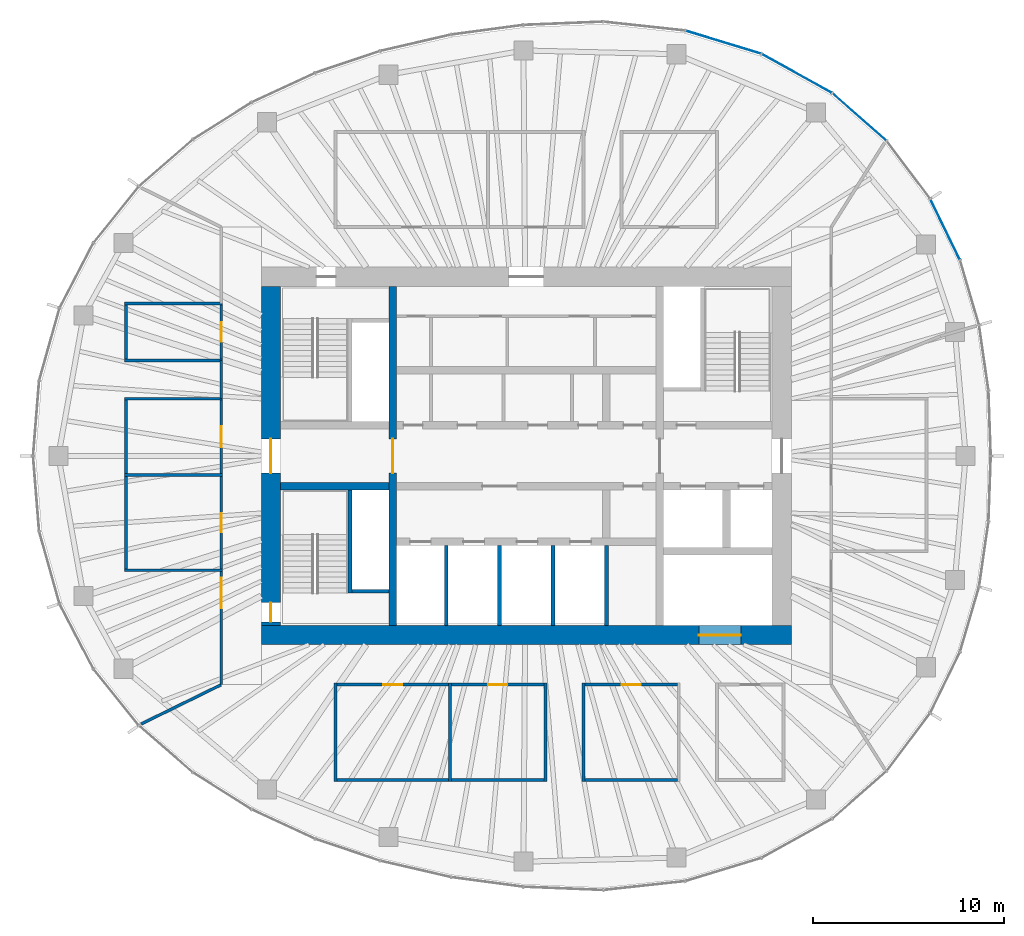
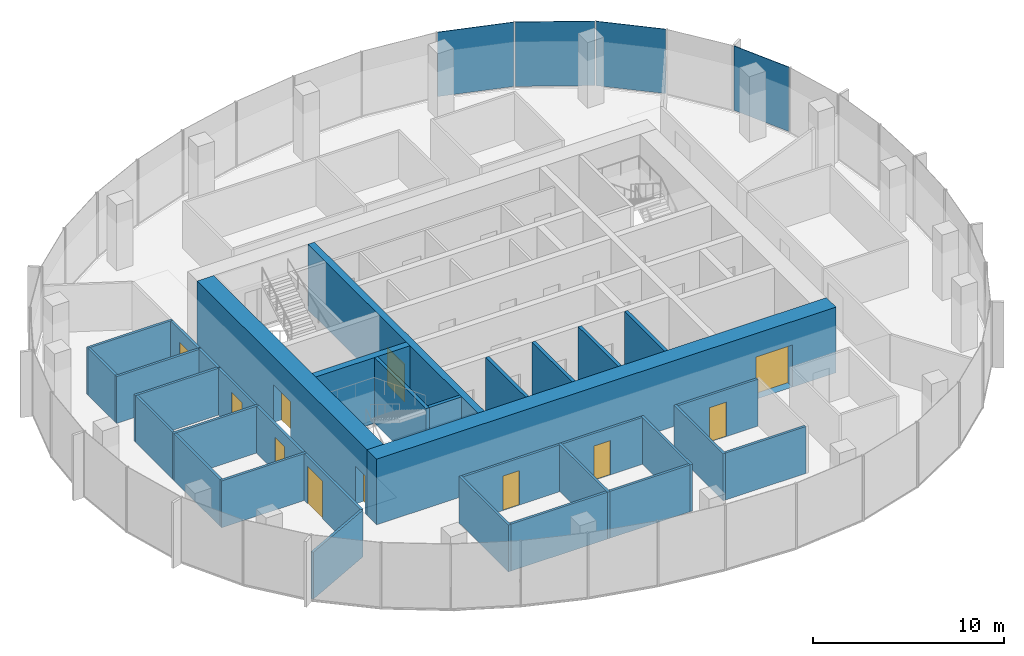
# One storey, part 8 of 11: 34 walls, 11 doors, 4 plates, 11 openings, 3 elements without a shape of their own.
"""IFC4 building model written with IfcOpenShell, lengths in metres."""

from ifc_helpers import new_model, si_unit, direction, frame, frame_2d, origin, origin_2d, place, context, subcontext, project, spatial, rectangle, extrude, material, layer, layer_set, type_object, element, fill, aggregate, save


model = new_model("IFC4")

# Units and contexts
model_context = context("Model", 3, precision=1e-05, world=origin(), true_north=direction((0.0, 1.0)))
body_context = subcontext(model_context, "Body", "Model", "MODEL_VIEW")
ifc_project = project(units=[si_unit("LENGTHUNIT", "METRE"), si_unit("AREAUNIT", "SQUARE_METRE"), si_unit("VOLUMEUNIT", "CUBIC_METRE"), si_unit("PLANEANGLEUNIT", "RADIAN"), si_unit("MASSUNIT", "GRAM", prefix="KILO")], contexts=[model_context])

# Site, building, storey
site_placement = place(None, origin())
site = spatial("IfcSite", under=ifc_project, at=site_placement, CompositionType="ELEMENT")
building_placement = place(site_placement, origin())
building = spatial("IfcBuilding", under=site, at=building_placement, Name="Ghaith Harvest Tower", CompositionType="ELEMENT")
storey_placement = place(building_placement, frame((0.0, 0.0, 325.800048828125)))
storey = spatial("IfcBuildingStorey", under=building, at=storey_placement, Name="L73", CompositionType="ELEMENT", Elevation=325.800048828125)

# Curtain wall, plate
ifc_material_1 = material(Name="Black anodised aluminium and fritted glass", Category="aluminium")
curtain_wall_type = type_object("IfcCurtainWallType", Name="CW-T CURTAIN WALL", PredefinedType="NOTDEFINED", material=ifc_material_1)
curtain_wall_1_placement = place(storey_placement, origin())
curtain_wall_1 = element("IfcCurtainWall", 1, at=curtain_wall_1_placement, inside=storey, type_object=curtain_wall_type, Name="Curtain wall CW-T bay 02 L73", PredefinedType="NOTDEFINED")
ifc_material_2 = material(Name="Glass, dark solar-control fritted double glazed unit", Category="glass")
ifc_layer_1 = layer(ifc_material_2, 0.033935546875)
ifc_layer_set_1 = layer_set([ifc_layer_1], Name="CW-T VISION PANEL")
plate_type = type_object("IfcPlateType", Name="CW-T VISION PANEL", PredefinedType="CURTAIN_PANEL", material=ifc_layer_set_1)
plate_1_placement = place(storey_placement, frame((21.9716796875, 11.878662109375, 0.079833984375), z_axis=(0.0, 0.0, 1.0), x_axis=(-0.437968365148, 0.898990384337, 0.0)))
plate_1 = element("IfcPlate", 2, at=plate_1_placement, type_object=plate_type, Name="CW-T glass unit 2 bay 02 L73", PredefinedType="CURTAIN_PANEL", context=body_context, shape_type="SweptSolid", body=[
    extrude(rectangle(XDim=3.49365234375, YDim=0.033935546875, at=origin_2d()), origin(), (0.0, 0.0, 1.0), 4.1201171875),
])
aggregate(curtain_wall_1, [plate_1])

curtain_wall_2_placement = place(storey_placement, origin())
curtain_wall_2 = element("IfcCurtainWall", 3, at=curtain_wall_2_placement, inside=storey, type_object=curtain_wall_type, Name="Curtain wall CW-T bay 03 L73", PredefinedType="NOTDEFINED")
plate_2_placement = place(storey_placement, frame((17.47509765625, 17.779541015625, 0.079833984375), z_axis=(0.0, 0.0, 1.0), x_axis=(-0.751334532416, 0.659921525941, 0.0)))
plate_2 = element("IfcPlate", 4, at=plate_2_placement, type_object=plate_type, Name="CW-T glass unit 2 bay 03 L73", PredefinedType="CURTAIN_PANEL", context=body_context, shape_type="SweptSolid", body=[
    extrude(rectangle(XDim=3.7158203125, YDim=0.033935546875, at=origin_2d()), origin(), (0.0, 0.0, 1.0), 4.1201171875),
])
aggregate(curtain_wall_2, [plate_2])

# Curtain wall, plates
curtain_wall_3_placement = place(storey_placement, origin())
curtain_wall_3 = element("IfcCurtainWall", 5, at=curtain_wall_3_placement, inside=storey, type_object=curtain_wall_type, Name="Curtain wall CW-T bay 04 L73", PredefinedType="NOTDEFINED")
plate_3_placement = place(storey_placement, frame((14.19189453125, 20.06201171875, 0.079833984375), z_axis=(0.0, 0.0, 1.0), x_axis=(-0.87456402291, 0.484910063653, 0.0)))
plate_3 = element("IfcPlate", 6, at=plate_3_placement, type_object=plate_type, Name="CW-T glass unit 1 bay 04 L73", PredefinedType="CURTAIN_PANEL", context=body_context, shape_type="SweptSolid", body=[
    extrude(rectangle(XDim=4.167724609375, YDim=0.033935546875, at=origin_2d()), origin(), (0.0, 0.0, 1.0), 4.1201171875),
])
plate_4_placement = place(storey_placement, frame((10.337158203125, 21.700439453125, 0.079833984375), z_axis=(0.0, 0.0, 1.0), x_axis=(-0.956587736124, 0.291444511181, 0.0)))
plate_4 = element("IfcPlate", 7, at=plate_4_placement, type_object=plate_type, Name="CW-T glass unit 2 bay 04 L73", PredefinedType="CURTAIN_PANEL", context=body_context, shape_type="SweptSolid", body=[
    extrude(rectangle(XDim=4.095703125, YDim=0.033935546875, at=origin_2d()), origin(), (0.0, 0.0, 1.0), 4.1201171875),
])
aggregate(curtain_wall_3, [plate_3, plate_4])

# Wall, opening, door
ifc_material_3 = material(Name="Concrete C50/60", Category="concrete")
ifc_layer_2 = layer(ifc_material_3, 1.0)
ifc_layer_set_2 = layer_set([ifc_layer_2], Name="CORE WALL CW1000")
wall_type_1 = type_object("IfcWallType", Name="CORE WALL CW1000", PredefinedType="SHEAR", material=ifc_layer_set_2)
wall_1_placement = place(storey_placement, frame((-13.89990234375, -9.39990234375, 0.0), z_axis=(0.0, 0.0, 1.0), x_axis=(1.0, 0.0, 0.0)))
wall_1 = element("IfcWall", 8, at=wall_1_placement, inside=storey, type_object=wall_type_1, Name="Core wall S L73", PredefinedType="SHEAR", context=body_context, shape_type="SweptSolid", body=[
    extrude(rectangle(XDim=27.7998046875, YDim=1.0, at=frame_2d((13.89990234375, 0.0))), origin(), (0.0, 0.0, 1.0), 4.199951171875),
])
opening_1_placement = place(wall_1_placement, frame((22.949951171875, 0.0, 0.0)))
opening_1 = element("IfcOpeningElement", 9, at=opening_1_placement, cuts=wall_1, Name="Opening 73-026", PredefinedType="OPENING", context=body_context, shape_type="SweptSolid", body=[
    extrude(rectangle(XDim=2.199951171875, YDim=2.699951171875, at=frame_2d((1.10009765625, 1.35009765625))), frame((0.0, 0.510009765625, 0.0), z_axis=(0.0, -1.0, 0.0), x_axis=(1.0, 0.0, 0.0)), (0.0, 0.0, 1.0), 1.02001953125),
])
ifc_material_4 = material(Name="Steel fire door", Category="steel")
door_type_1 = type_object("IfcDoorType", Name="LD3 LANDING 2200x2700", OperationType="DOUBLE_DOOR_SLIDING", PredefinedType="DOOR", material=ifc_material_4)
door_1_placement = place(opening_1_placement, origin())
door_1 = element("IfcDoor", 10, at=door_1_placement, inside=storey, type_object=door_type_1, Name="Landing door, goods lift GL1", OperationType="DOUBLE_DOOR_SLIDING", OverallHeight=2.699951171875, OverallWidth=2.199951171875, PredefinedType="DOOR", context=body_context, shape_type="SweptSolid", body=[
    extrude(rectangle(XDim=2.199951171875, YDim=2.699951171875, at=frame_2d((1.10009765625, 1.35009765625))), frame((0.0, 0.02490234375, 0.0), z_axis=(0.0, -1.0, 0.0), x_axis=(1.0, 0.0, 0.0)), (0.0, 0.0, 1.0), 0.050048828125),
])
fill(opening_1, door_1)

# Wall, openings, doors
wall_2_placement = place(storey_placement, frame((-13.39990234375, 8.89990234375, 0.0), z_axis=(0.0, 0.0, 1.0), x_axis=(0.0, -1.0, 0.0)))
wall_2 = element("IfcWall", 11, at=wall_2_placement, inside=storey, type_object=wall_type_1, Name="Core wall W L73", PredefinedType="SHEAR", context=body_context, shape_type="SweptSolid", body=[
    extrude(rectangle(XDim=17.7998046875, YDim=1.0, at=frame_2d((8.89990234375, 0.0))), origin(), (0.0, 0.0, 1.0), 4.199951171875),
])
opening_2_placement = place(wall_2_placement, frame((8.0, 0.0, 0.0)))
opening_2 = element("IfcOpeningElement", 12, at=opening_2_placement, cuts=wall_2, Name="Opening 73-001", PredefinedType="OPENING", context=body_context, shape_type="SweptSolid", body=[
    extrude(rectangle(XDim=1.800048828125, YDim=2.39990234375, at=frame_2d((0.89990234375, 1.199951171875))), frame((0.0, 0.510009765625, 0.0), z_axis=(0.0, -1.0, 0.0), x_axis=(1.0, 0.0, 0.0)), (0.0, 0.0, 1.0), 1.02001953125),
])
opening_3_placement = place(wall_2_placement, frame((16.60009765625, 0.0, 0.0)))
opening_3 = element("IfcOpeningElement", 13, at=opening_3_placement, cuts=wall_2, Name="Opening 73-006", PredefinedType="OPENING", context=body_context, shape_type="SweptSolid", body=[
    extrude(rectangle(XDim=1.0, YDim=2.39990234375, at=frame_2d((0.5, 1.199951171875))), frame((0.0, 0.510009765625, 0.0), z_axis=(0.0, -1.0, 0.0), x_axis=(1.0, 0.0, 0.0)), (0.0, 0.0, 1.0), 1.02001953125),
])
ifc_material_5 = material(Name="Steel fire door", Category="steel")
door_type_2 = type_object("IfcDoorType", Name="D3 FD90 1000x2400", OperationType="SINGLE_SWING_LEFT", PredefinedType="DOOR", material=ifc_material_5)
door_2_placement = place(opening_3_placement, origin())
door_2 = element("IfcDoor", 14, at=door_2_placement, inside=storey, type_object=door_type_2, Name="Stair ST3 door", OperationType="SINGLE_SWING_RIGHT", OverallHeight=2.39990234375, OverallWidth=1.0, PredefinedType="DOOR", context=body_context, shape_type="SweptSolid", body=[
    extrude(rectangle(XDim=1.0, YDim=2.39990234375, at=frame_2d((0.5, 1.199951171875))), frame((0.0, 0.02490234375, 0.0), z_axis=(0.0, -1.0, 0.0), x_axis=(1.0, 0.0, 0.0)), (0.0, 0.0, 1.0), 0.050048828125),
])
fill(opening_3, door_2)
ifc_material_6 = material(Name="Steel fire door", Category="steel")
door_type_3 = type_object("IfcDoorType", Name="D4 FD90 PAIR 1800x2400", OperationType="DOUBLE_DOOR_SINGLE_SWING", PredefinedType="DOOR", material=ifc_material_6)
door_3_placement = place(opening_2_placement, origin())
door_3 = element("IfcDoor", 15, at=door_3_placement, inside=storey, type_object=door_type_3, Name="West lobby doors", OperationType="DOUBLE_DOOR_SINGLE_SWING", OverallHeight=2.39990234375, OverallWidth=1.800048828125, PredefinedType="DOOR", context=body_context, shape_type="SweptSolid", body=[
    extrude(rectangle(XDim=1.800048828125, YDim=2.39990234375, at=frame_2d((0.89990234375, 1.199951171875))), frame((0.0, 0.02490234375, 0.0), z_axis=(0.0, -1.0, 0.0), x_axis=(1.0, 0.0, 0.0)), (0.0, 0.0, 1.0), 0.050048828125),
])
fill(opening_2, door_3)

# Walls
ifc_material_7 = material(Name="Concrete blockwork, 2-hour", Category="masonry")
ifc_layer_3 = layer(ifc_material_7, 0.199951171875)
ifc_layer_set_3 = layer_set([ifc_layer_3], Name="LIFT SHAFT WALL 200")
wall_type_2 = type_object("IfcWallType", Name="LIFT SHAFT WALL 200", PredefinedType="PARTITIONING", material=ifc_layer_set_3)
for number, where, z_axis, x_axis, name in (
    (16, (-4.199951171875, -4.699951171875, 0.0), (0.0, 0.0, 1.0), (0.0, -1.0, 0.0), "Lift shaft wall L73"),
    (17, (-1.39990234375, -4.699951171875, 0.0), (0.0, 0.0, 1.0), (0.0, -1.0, 0.0), "Lift shaft wall L73"),
    (18, (1.39990234375, -4.699951171875, 0.0), (0.0, 0.0, 1.0), (0.0, -1.0, 0.0), "Lift shaft wall L73"),
    (19, (4.199951171875, -4.699951171875, 0.0), (0.0, 0.0, 1.0), (0.0, -1.0, 0.0), "Lift shaft wall L73"),
):
    element("IfcWall", number, at=place(storey_placement, frame(where, z_axis=z_axis, x_axis=x_axis)), inside=storey, type_object=wall_type_2, Name=name, PredefinedType="PARTITIONING", context=body_context, shape_type="SweptSolid", body=[
        extrude(rectangle(XDim=4.199951171875, YDim=0.199951171875, at=frame_2d((2.10009765625, 0.0))), origin(), (0.0, 0.0, 1.0), 4.199951171875),
    ])
ifc_material_8 = material(Name="Gypsum board on steel studs", Category="steel")
ifc_layer_4 = layer(ifc_material_8, 0.14990234375)
ifc_layer_set_4 = layer_set([ifc_layer_4], Name="PARTITION 150")
wall_type_3 = type_object("IfcWallType", Name="PARTITION 150", PredefinedType="PARTITIONING", material=ifc_layer_set_4)
for number, where, z_axis, x_axis, name in (
    (20, (-10.0, -11.925048828125, 0.0), (0.0, 0.0, 1.0), (0.0, -1.0, 0.0), "Partition L73 row S3 cross wall 1"),
    (21, (-4.0, -11.925048828125, 0.0), (0.0, 0.0, 1.0), (0.0, -1.0, 0.0), "Partition L73 row S3 cross wall 2"),
    (22, (1.0, -11.925048828125, 0.0), (0.0, 0.0, 1.0), (0.0, -1.0, 0.0), "Partition L73 row S3 cross wall 3"),
):
    element("IfcWall", number, at=place(storey_placement, frame(where, z_axis=z_axis, x_axis=x_axis)), inside=storey, type_object=wall_type_3, Name=name, PredefinedType="PARTITIONING", context=body_context, shape_type="SweptSolid", body=[
        extrude(rectangle(XDim=5.14990234375, YDim=0.14990234375, at=frame_2d((2.574951171875, 0.0))), origin(), (0.0, 0.0, 1.0), 3.0),
    ])

# Wall, opening, door
wall_3_placement = place(storey_placement, frame((-9.925048828125, -12.0, 0.0), z_axis=(0.0, 0.0, 1.0), x_axis=(1.0, 0.0, 0.0)))
wall_3 = element("IfcWall", 23, at=wall_3_placement, inside=storey, type_object=wall_type_3, Name="Partition L73-04", PredefinedType="PARTITIONING", context=body_context, shape_type="SweptSolid", body=[
    extrude(rectangle(XDim=5.85009765625, YDim=0.14990234375, at=frame_2d((2.925048828125, 0.0))), origin(), (0.0, 0.0, 1.0), 3.0),
])
opening_4_placement = place(wall_3_placement, frame((2.425048828125, 0.0, 0.0)))
opening_4 = element("IfcOpeningElement", 24, at=opening_4_placement, cuts=wall_3, Name="Opening 73-030", PredefinedType="OPENING", context=body_context, shape_type="SweptSolid", body=[
    extrude(rectangle(XDim=1.0, YDim=2.199951171875, at=frame_2d((0.5, 1.10009765625))), frame((0.0, 0.0849609375, 0.0), z_axis=(0.0, -1.0, 0.0), x_axis=(1.0, 0.0, 0.0)), (0.0, 0.0, 1.0), 0.169921875),
])
ifc_material_9 = material(Name="Timber door", Category="wood")
door_type_4 = type_object("IfcDoorType", Name="D1 SINGLE 1000x2200", OperationType="SINGLE_SWING_LEFT", PredefinedType="DOOR", material=ifc_material_9)
door_4_placement = place(opening_4_placement, origin())
door_4 = element("IfcDoor", 25, at=door_4_placement, inside=storey, type_object=door_type_4, Name="Herb nursery door", OperationType="SINGLE_SWING_LEFT", OverallHeight=2.199951171875, OverallWidth=1.0, PredefinedType="DOOR", context=body_context, shape_type="SweptSolid", body=[
    extrude(rectangle(XDim=1.0, YDim=2.199951171875, at=frame_2d((0.5, 1.10009765625))), frame((0.0, 0.02490234375, 0.0), z_axis=(0.0, -1.0, 0.0), x_axis=(1.0, 0.0, 0.0)), (0.0, 0.0, 1.0), 0.050048828125),
])
fill(opening_4, door_4)

# Wall
wall_4_placement = place(storey_placement, frame((-9.925048828125, -17.0, 0.0), z_axis=(0.0, 0.0, 1.0), x_axis=(1.0, 0.0, 0.0)))
element("IfcWall", 26, at=wall_4_placement, inside=storey, type_object=wall_type_3, Name="Partition L73-04", PredefinedType="PARTITIONING", context=body_context, shape_type="SweptSolid", body=[
    extrude(rectangle(XDim=5.85009765625, YDim=0.14990234375, at=frame_2d((2.925048828125, 0.0))), origin(), (0.0, 0.0, 1.0), 3.0),
])

# Wall, opening, door
wall_5_placement = place(storey_placement, frame((-3.925048828125, -12.0, 0.0), z_axis=(0.0, 0.0, 1.0), x_axis=(1.0, 0.0, 0.0)))
wall_5 = element("IfcWall", 27, at=wall_5_placement, inside=storey, type_object=wall_type_3, Name="Partition L73-05", PredefinedType="PARTITIONING", context=body_context, shape_type="SweptSolid", body=[
    extrude(rectangle(XDim=4.85009765625, YDim=0.14990234375, at=frame_2d((2.425048828125, 0.0))), origin(), (0.0, 0.0, 1.0), 3.0),
])
opening_5_placement = place(wall_5_placement, frame((1.925048828125, 0.0, 0.0)))
opening_5 = element("IfcOpeningElement", 28, at=opening_5_placement, cuts=wall_5, Name="Opening 73-031", PredefinedType="OPENING", context=body_context, shape_type="SweptSolid", body=[
    extrude(rectangle(XDim=1.0, YDim=2.199951171875, at=frame_2d((0.5, 1.10009765625))), frame((0.0, 0.0849609375, 0.0), z_axis=(0.0, -1.0, 0.0), x_axis=(1.0, 0.0, 0.0)), (0.0, 0.0, 1.0), 0.169921875),
])
door_5_placement = place(opening_5_placement, origin())
door_5 = element("IfcDoor", 29, at=door_5_placement, inside=storey, type_object=door_type_4, Name="Store door", OperationType="SINGLE_SWING_LEFT", OverallHeight=2.199951171875, OverallWidth=1.0, PredefinedType="DOOR", context=body_context, shape_type="SweptSolid", body=[
    extrude(rectangle(XDim=1.0, YDim=2.199951171875, at=frame_2d((0.5, 1.10009765625))), frame((0.0, 0.02490234375, 0.0), z_axis=(0.0, -1.0, 0.0), x_axis=(1.0, 0.0, 0.0)), (0.0, 0.0, 1.0), 0.050048828125),
])
fill(opening_5, door_5)

# Walls
wall_6_placement = place(storey_placement, frame((-3.925048828125, -17.0, 0.0), z_axis=(0.0, 0.0, 1.0), x_axis=(1.0, 0.0, 0.0)))
element("IfcWall", 30, at=wall_6_placement, inside=storey, type_object=wall_type_3, Name="Partition L73-05", PredefinedType="PARTITIONING", context=body_context, shape_type="SweptSolid", body=[
    extrude(rectangle(XDim=4.85009765625, YDim=0.14990234375, at=frame_2d((2.425048828125, 0.0))), origin(), (0.0, 0.0, 1.0), 3.0),
])
wall_7_placement = place(storey_placement, frame((3.0, -11.925048828125, 0.0), z_axis=(0.0, 0.0, 1.0), x_axis=(0.0, -1.0, 0.0)))
element("IfcWall", 31, at=wall_7_placement, inside=storey, type_object=wall_type_3, Name="Partition L73 row S4 cross wall 1", PredefinedType="PARTITIONING", context=body_context, shape_type="SweptSolid", body=[
    extrude(rectangle(XDim=5.14990234375, YDim=0.14990234375, at=frame_2d((2.574951171875, 0.0))), origin(), (0.0, 0.0, 1.0), 3.0),
])

# Wall, opening, door
wall_8_placement = place(storey_placement, frame((3.074951171875, -12.0, 0.0), z_axis=(0.0, 0.0, 1.0), x_axis=(1.0, 0.0, 0.0)))
wall_8 = element("IfcWall", 32, at=wall_8_placement, inside=storey, type_object=wall_type_3, Name="Partition L73-06", PredefinedType="PARTITIONING", context=body_context, shape_type="SweptSolid", body=[
    extrude(rectangle(XDim=4.85009765625, YDim=0.14990234375, at=frame_2d((2.425048828125, 0.0))), origin(), (0.0, 0.0, 1.0), 3.0),
])
opening_6_placement = place(wall_8_placement, frame((1.925048828125, 0.0, 0.0)))
opening_6 = element("IfcOpeningElement", 33, at=opening_6_placement, cuts=wall_8, Name="Opening 73-032", PredefinedType="OPENING", context=body_context, shape_type="SweptSolid", body=[
    extrude(rectangle(XDim=1.0, YDim=2.199951171875, at=frame_2d((0.5, 1.10009765625))), frame((0.0, 0.0849609375, 0.0), z_axis=(0.0, -1.0, 0.0), x_axis=(1.0, 0.0, 0.0)), (0.0, 0.0, 1.0), 0.169921875),
])
door_6_placement = place(opening_6_placement, origin())
door_6 = element("IfcDoor", 34, at=door_6_placement, inside=storey, type_object=door_type_4, Name="Potting room door", OperationType="SINGLE_SWING_LEFT", OverallHeight=2.199951171875, OverallWidth=1.0, PredefinedType="DOOR", context=body_context, shape_type="SweptSolid", body=[
    extrude(rectangle(XDim=1.0, YDim=2.199951171875, at=frame_2d((0.5, 1.10009765625))), frame((0.0, 0.02490234375, 0.0), z_axis=(0.0, -1.0, 0.0), x_axis=(1.0, 0.0, 0.0)), (0.0, 0.0, 1.0), 0.050048828125),
])
fill(opening_6, door_6)

# Walls
wall_9_placement = place(storey_placement, frame((3.074951171875, -17.0, 0.0), z_axis=(0.0, 0.0, 1.0), x_axis=(1.0, 0.0, 0.0)))
element("IfcWall", 35, at=wall_9_placement, inside=storey, type_object=wall_type_3, Name="Partition L73-06", PredefinedType="PARTITIONING", context=body_context, shape_type="SweptSolid", body=[
    extrude(rectangle(XDim=4.85009765625, YDim=0.14990234375, at=frame_2d((2.425048828125, 0.0))), origin(), (0.0, 0.0, 1.0), 3.0),
])
for number, where, z_axis, x_axis, name in (
    (36, (-15.925048828125, -6.0, 0.0), (0.0, 0.0, 1.0), (-1.0, 0.0, 0.0), "Partition L73 row W5 cross wall 1"),
    (37, (-15.925048828125, -1.0, 0.0), (0.0, 0.0, 1.0), (-1.0, 0.0, 0.0), "Partition L73 row W5 cross wall 2"),
    (38, (-15.925048828125, 3.0, 0.0), (0.0, 0.0, 1.0), (-1.0, 0.0, 0.0), "Partition L73 row W5 cross wall 3"),
):
    element("IfcWall", number, at=place(storey_placement, frame(where, z_axis=z_axis, x_axis=x_axis)), inside=storey, type_object=wall_type_3, Name=name, PredefinedType="PARTITIONING", context=body_context, shape_type="SweptSolid", body=[
        extrude(rectangle(XDim=5.14990234375, YDim=0.14990234375, at=frame_2d((2.574951171875, 0.0))), origin(), (0.0, 0.0, 1.0), 3.0),
    ])

# Wall, opening, door
wall_10_placement = place(storey_placement, frame((-16.0, -5.925048828125, 0.0), z_axis=(0.0, 0.0, 1.0), x_axis=(0.0, 1.0, 0.0)))
wall_10 = element("IfcWall", 39, at=wall_10_placement, inside=storey, type_object=wall_type_3, Name="Partition L73-07", PredefinedType="PARTITIONING", context=body_context, shape_type="SweptSolid", body=[
    extrude(rectangle(XDim=4.85009765625, YDim=0.14990234375, at=frame_2d((2.425048828125, 0.0))), origin(), (0.0, 0.0, 1.0), 3.0),
])
opening_7_placement = place(wall_10_placement, frame((1.925048828125, 0.0, 0.0)))
opening_7 = element("IfcOpeningElement", 40, at=opening_7_placement, cuts=wall_10, Name="Opening 73-033", PredefinedType="OPENING", context=body_context, shape_type="SweptSolid", body=[
    extrude(rectangle(XDim=1.0, YDim=2.199951171875, at=frame_2d((0.5, 1.10009765625))), frame((0.0, 0.0849609375, 0.0), z_axis=(0.0, -1.0, 0.0), x_axis=(1.0, 0.0, 0.0)), (0.0, 0.0, 1.0), 0.169921875),
])
door_7_placement = place(opening_7_placement, origin())
door_7 = element("IfcDoor", 41, at=door_7_placement, inside=storey, type_object=door_type_4, Name="Staff room door", OperationType="SINGLE_SWING_LEFT", OverallHeight=2.199951171875, OverallWidth=1.0, PredefinedType="DOOR", context=body_context, shape_type="SweptSolid", body=[
    extrude(rectangle(XDim=1.0, YDim=2.199951171875, at=frame_2d((0.5, 1.10009765625))), frame((0.0, 0.02490234375, 0.0), z_axis=(0.0, -1.0, 0.0), x_axis=(1.0, 0.0, 0.0)), (0.0, 0.0, 1.0), 0.050048828125),
])
fill(opening_7, door_7)

# Wall
wall_11_placement = place(storey_placement, frame((-21.0, -5.925048828125, 0.0), z_axis=(0.0, 0.0, 1.0), x_axis=(0.0, 1.0, 0.0)))
element("IfcWall", 42, at=wall_11_placement, inside=storey, type_object=wall_type_3, Name="Partition L73-07", PredefinedType="PARTITIONING", context=body_context, shape_type="SweptSolid", body=[
    extrude(rectangle(XDim=4.85009765625, YDim=0.14990234375, at=frame_2d((2.425048828125, 0.0))), origin(), (0.0, 0.0, 1.0), 3.0),
])

# Wall, opening, door
wall_12_placement = place(storey_placement, frame((-16.0, -0.925048828125, 0.0), z_axis=(0.0, 0.0, 1.0), x_axis=(0.0, 1.0, 0.0)))
wall_12 = element("IfcWall", 43, at=wall_12_placement, inside=storey, type_object=wall_type_3, Name="Partition L73-08", PredefinedType="PARTITIONING", context=body_context, shape_type="SweptSolid", body=[
    extrude(rectangle(XDim=3.85009765625, YDim=0.14990234375, at=frame_2d((1.925048828125, 0.0))), origin(), (0.0, 0.0, 1.0), 3.0),
])
opening_8_placement = place(wall_12_placement, frame((1.375, 0.0, 0.0)))
opening_8 = element("IfcOpeningElement", 44, at=opening_8_placement, cuts=wall_12, Name="Opening 73-034", PredefinedType="OPENING", context=body_context, shape_type="SweptSolid", body=[
    extrude(rectangle(XDim=1.10009765625, YDim=2.300048828125, at=frame_2d((0.550048828125, 1.14990234375))), frame((0.0, 0.0849609375, 0.0), z_axis=(0.0, -1.0, 0.0), x_axis=(1.0, 0.0, 0.0)), (0.0, 0.0, 1.0), 0.169921875),
])
ifc_material_10 = material(Name="Timber-framed glazed door", Category="wood")
door_type_5 = type_object("IfcDoorType", Name="D12 GLAZED OFFICE 1100x2300", OperationType="SINGLE_SWING_LEFT", PredefinedType="DOOR", material=ifc_material_10)
door_8_placement = place(opening_8_placement, origin())
door_8 = element("IfcDoor", 45, at=door_8_placement, inside=storey, type_object=door_type_5, Name="Crop office door", OperationType="SINGLE_SWING_LEFT", OverallHeight=2.300048828125, OverallWidth=1.10009765625, PredefinedType="DOOR", context=body_context, shape_type="SweptSolid", body=[
    extrude(rectangle(XDim=1.10009765625, YDim=2.300048828125, at=frame_2d((0.550048828125, 1.14990234375))), frame((0.0, 0.02490234375, 0.0), z_axis=(0.0, -1.0, 0.0), x_axis=(1.0, 0.0, 0.0)), (0.0, 0.0, 1.0), 0.050048828125),
])
fill(opening_8, door_8)

# Walls
wall_13_placement = place(storey_placement, frame((-21.0, -0.925048828125, 0.0), z_axis=(0.0, 0.0, 1.0), x_axis=(0.0, 1.0, 0.0)))
element("IfcWall", 46, at=wall_13_placement, inside=storey, type_object=wall_type_3, Name="Partition L73-08", PredefinedType="PARTITIONING", context=body_context, shape_type="SweptSolid", body=[
    extrude(rectangle(XDim=3.85009765625, YDim=0.14990234375, at=frame_2d((1.925048828125, 0.0))), origin(), (0.0, 0.0, 1.0), 3.0),
])
for number, where, z_axis, x_axis, name in (
    (47, (-15.925048828125, 5.0, 0.0), (0.0, 0.0, 1.0), (-1.0, 0.0, 0.0), "Partition L73 row W8 cross wall 1"),
    (48, (-15.925048828125, 8.0, 0.0), (0.0, 0.0, 1.0), (-1.0, 0.0, 0.0), "Partition L73 row W8 cross wall 2"),
):
    element("IfcWall", number, at=place(storey_placement, frame(where, z_axis=z_axis, x_axis=x_axis)), inside=storey, type_object=wall_type_3, Name=name, PredefinedType="PARTITIONING", context=body_context, shape_type="SweptSolid", body=[
        extrude(rectangle(XDim=5.14990234375, YDim=0.14990234375, at=frame_2d((2.574951171875, 0.0))), origin(), (0.0, 0.0, 1.0), 3.0),
    ])

# Wall, opening, door
wall_14_placement = place(storey_placement, frame((-16.0, 5.074951171875, 0.0), z_axis=(0.0, 0.0, 1.0), x_axis=(0.0, 1.0, 0.0)))
wall_14 = element("IfcWall", 49, at=wall_14_placement, inside=storey, type_object=wall_type_3, Name="Partition L73-11", PredefinedType="PARTITIONING", context=body_context, shape_type="SweptSolid", body=[
    extrude(rectangle(XDim=2.85009765625, YDim=0.14990234375, at=frame_2d((1.425048828125, 0.0))), origin(), (0.0, 0.0, 1.0), 3.0),
])
opening_9_placement = place(wall_14_placement, frame((0.925048828125, 0.0, 0.0)))
opening_9 = element("IfcOpeningElement", 50, at=opening_9_placement, cuts=wall_14, Name="Opening 73-037", PredefinedType="OPENING", context=body_context, shape_type="SweptSolid", body=[
    extrude(rectangle(XDim=1.0, YDim=2.199951171875, at=frame_2d((0.5, 1.10009765625))), frame((0.0, 0.0849609375, 0.0), z_axis=(0.0, -1.0, 0.0), x_axis=(1.0, 0.0, 0.0)), (0.0, 0.0, 1.0), 0.169921875),
])
door_9_placement = place(opening_9_placement, origin())
door_9 = element("IfcDoor", 51, at=door_9_placement, inside=storey, type_object=door_type_4, Name="Store door", OperationType="SINGLE_SWING_LEFT", OverallHeight=2.199951171875, OverallWidth=1.0, PredefinedType="DOOR", context=body_context, shape_type="SweptSolid", body=[
    extrude(rectangle(XDim=1.0, YDim=2.199951171875, at=frame_2d((0.5, 1.10009765625))), frame((0.0, 0.02490234375, 0.0), z_axis=(0.0, -1.0, 0.0), x_axis=(1.0, 0.0, 0.0)), (0.0, 0.0, 1.0), 0.050048828125),
])
fill(opening_9, door_9)

# Walls
wall_15_placement = place(storey_placement, frame((-21.0, 5.074951171875, 0.0), z_axis=(0.0, 0.0, 1.0), x_axis=(0.0, 1.0, 0.0)))
element("IfcWall", 52, at=wall_15_placement, inside=storey, type_object=wall_type_3, Name="Partition L73-11", PredefinedType="PARTITIONING", context=body_context, shape_type="SweptSolid", body=[
    extrude(rectangle(XDim=2.85009765625, YDim=0.14990234375, at=frame_2d((1.425048828125, 0.0))), origin(), (0.0, 0.0, 1.0), 3.0),
])
wall_16_placement = place(storey_placement, frame((-16.017822265625, -12.0087890625, 0.0), z_axis=(0.0, 0.0, 1.0), x_axis=(-0.897771840996, -0.440460805879, 0.0)))
element("IfcWall", 53, at=wall_16_placement, inside=storey, type_object=wall_type_3, Name="Partition L73 zone division", PredefinedType="PARTITIONING", context=body_context, shape_type="SweptSolid", body=[
    extrude(rectangle(XDim=4.66552734375, YDim=0.14990234375, at=frame_2d((2.332763671875, 0.0))), origin(), (0.0, 0.0, 1.0), 3.0),
])

# Wall, opening, door
wall_17_placement = place(storey_placement, frame((-16.0, -6.0, 0.0), z_axis=(0.0, 0.0, 1.0), x_axis=(0.0, -1.0, 0.0)))
wall_17 = element("IfcWall", 54, at=wall_17_placement, inside=storey, type_object=wall_type_3, Name="Partition L73 zone enclosure", PredefinedType="PARTITIONING", context=body_context, shape_type="SweptSolid", body=[
    extrude(rectangle(XDim=6.0, YDim=0.14990234375, at=frame_2d((3.0, 0.0))), origin(), (0.0, 0.0, 1.0), 3.0),
])
opening_10_placement = place(wall_17_placement, frame((0.39990234375, 0.0, 0.0)))
opening_10 = element("IfcOpeningElement", 55, at=opening_10_placement, cuts=wall_17, Name="Opening 73-040", PredefinedType="OPENING", context=body_context, shape_type="SweptSolid", body=[
    extrude(rectangle(XDim=1.60009765625, YDim=2.39990234375, at=frame_2d((0.800048828125, 1.199951171875))), frame((0.0, 0.0849609375, 0.0), z_axis=(0.0, -1.0, 0.0), x_axis=(1.0, 0.0, 0.0)), (0.0, 0.0, 1.0), 0.169921875),
])
ifc_material_11 = material(Name="Timber door", Category="wood")
door_type_6 = type_object("IfcDoorType", Name="D2 PAIR 1600x2400", OperationType="DOUBLE_DOOR_SINGLE_SWING", PredefinedType="DOOR", material=ifc_material_11)
door_10_placement = place(opening_10_placement, origin())
door_10 = element("IfcDoor", 56, at=door_10_placement, inside=storey, type_object=door_type_6, Name="Chef's growing area west door", OperationType="DOUBLE_DOOR_SINGLE_SWING", OverallHeight=2.39990234375, OverallWidth=1.60009765625, PredefinedType="DOOR", context=body_context, shape_type="SweptSolid", body=[
    extrude(rectangle(XDim=1.60009765625, YDim=2.39990234375, at=frame_2d((0.800048828125, 1.199951171875))), frame((0.0, 0.02490234375, 0.0), z_axis=(0.0, -1.0, 0.0), x_axis=(1.0, 0.0, 0.0)), (0.0, 0.0, 1.0), 0.050048828125),
])
fill(opening_10, door_10)

# Wall
wall_18_placement = place(storey_placement, frame((-16.0, 5.0, 0.0), z_axis=(0.0, 0.0, 1.0), x_axis=(0.0, -1.0, 0.0)))
element("IfcWall", 57, at=wall_18_placement, inside=storey, type_object=wall_type_3, Name="Partition L73 zone enclosure", PredefinedType="PARTITIONING", context=body_context, shape_type="SweptSolid", body=[
    extrude(rectangle(XDim=2.0, YDim=0.14990234375, at=frame_2d((1.0, 0.0))), origin(), (0.0, 0.0, 1.0), 3.0),
])

# Wall, opening, door
ifc_material_12 = material(Name="Concrete C70/85", Category="concrete")
ifc_layer_5 = layer(ifc_material_12, 0.39990234375)
ifc_layer_set_5 = layer_set([ifc_layer_5], Name="SHAFT WALL 400")
wall_type_4 = type_object("IfcWallType", Name="SHAFT WALL 400", PredefinedType="SHEAR", material=ifc_layer_set_5)
wall_19_placement = place(storey_placement, frame((-7.0, -8.89990234375, 0.0), z_axis=(0.0, 0.0, 1.0), x_axis=(0.0, 1.0, 0.0)))
wall_19 = element("IfcWall", 58, at=wall_19_placement, inside=storey, type_object=wall_type_4, Name="Shaft wall W7W L73", PredefinedType="SHEAR", context=body_context, shape_type="SweptSolid", body=[
    extrude(rectangle(XDim=17.7998046875, YDim=0.39990234375, at=frame_2d((8.89990234375, 0.0))), origin(), (0.0, 0.0, 1.0), 4.199951171875),
])
opening_11_placement = place(wall_19_placement, frame((8.0, 0.0, 0.0)))
opening_11 = element("IfcOpeningElement", 59, at=opening_11_placement, cuts=wall_19, Name="Opening 73-003", PredefinedType="OPENING", context=body_context, shape_type="SweptSolid", body=[
    extrude(rectangle(XDim=1.800048828125, YDim=2.39990234375, at=frame_2d((0.89990234375, 1.199951171875))), frame((0.0, 0.2099609375, 0.0), z_axis=(0.0, -1.0, 0.0), x_axis=(1.0, 0.0, 0.0)), (0.0, 0.0, 1.0), 0.419921875),
])
door_11_placement = place(opening_11_placement, origin())
door_11 = element("IfcDoor", 60, at=door_11_placement, inside=storey, type_object=door_type_3, Name="Lift lobby doors, west", OperationType="DOUBLE_DOOR_SINGLE_SWING", OverallHeight=2.39990234375, OverallWidth=1.800048828125, PredefinedType="DOOR", context=body_context, shape_type="SweptSolid", body=[
    extrude(rectangle(XDim=1.800048828125, YDim=2.39990234375, at=frame_2d((0.89990234375, 1.199951171875))), frame((0.0, 0.02490234375, 0.0), z_axis=(0.0, -1.0, 0.0), x_axis=(1.0, 0.0, 0.0)), (0.0, 0.0, 1.0), 0.050048828125),
])
fill(opening_11, door_11)

# Walls
wall_20_placement = place(storey_placement, frame((-12.89990234375, -1.60009765625, 0.0), z_axis=(0.0, 0.0, 1.0), x_axis=(1.0, 0.0, 0.0)))
element("IfcWall", 61, at=wall_20_placement, inside=storey, type_object=wall_type_4, Name="Shaft wall WS L73", PredefinedType="SHEAR", context=body_context, shape_type="SweptSolid", body=[
    extrude(rectangle(XDim=5.699951171875, YDim=0.39990234375, at=frame_2d((2.85009765625, 0.0))), origin(), (0.0, 0.0, 1.0), 4.199951171875),
])
ifc_material_13 = material(Name="Concrete C40/50", Category="concrete")
ifc_layer_6 = layer(ifc_material_13, 0.199951171875)
ifc_layer_set_6 = layer_set([ifc_layer_6], Name="STAIR SPINE WALL RC200")
wall_type_5 = type_object("IfcWallType", Name="STAIR SPINE WALL RC200", PredefinedType="SOLIDWALL", material=ifc_layer_set_6)
wall_21_placement = place(storey_placement, frame((-9.25, -7.199951171875, 0.0), z_axis=(0.0, 0.0, 1.0), x_axis=(0.0, 1.0, 0.0)))
element("IfcWall", 62, at=wall_21_placement, inside=storey, type_object=wall_type_5, Name="Stair ST3 spine wall L73", PredefinedType="SOLIDWALL", context=body_context, shape_type="SweptSolid", body=[
    extrude(rectangle(XDim=5.39990234375, YDim=0.199951171875, at=frame_2d((2.699951171875, 0.0))), origin(), (0.0, 0.0, 1.0), 4.199951171875),
])
wall_22_placement = place(storey_placement, frame((-9.14990234375, -7.10009765625, 0.0), z_axis=(0.0, 0.0, 1.0), x_axis=(1.0, 0.0, 0.0)))
element("IfcWall", 63, at=wall_22_placement, inside=storey, type_object=wall_type_5, Name="Stair ST3 spine wall return L73", PredefinedType="SOLIDWALL", context=body_context, shape_type="SweptSolid", body=[
    extrude(rectangle(XDim=1.949951171875, YDim=0.199951171875, at=frame_2d((0.97509765625, 0.0))), origin(), (0.0, 0.0, 1.0), 4.199951171875),
])

save(model, "model.ifc")
